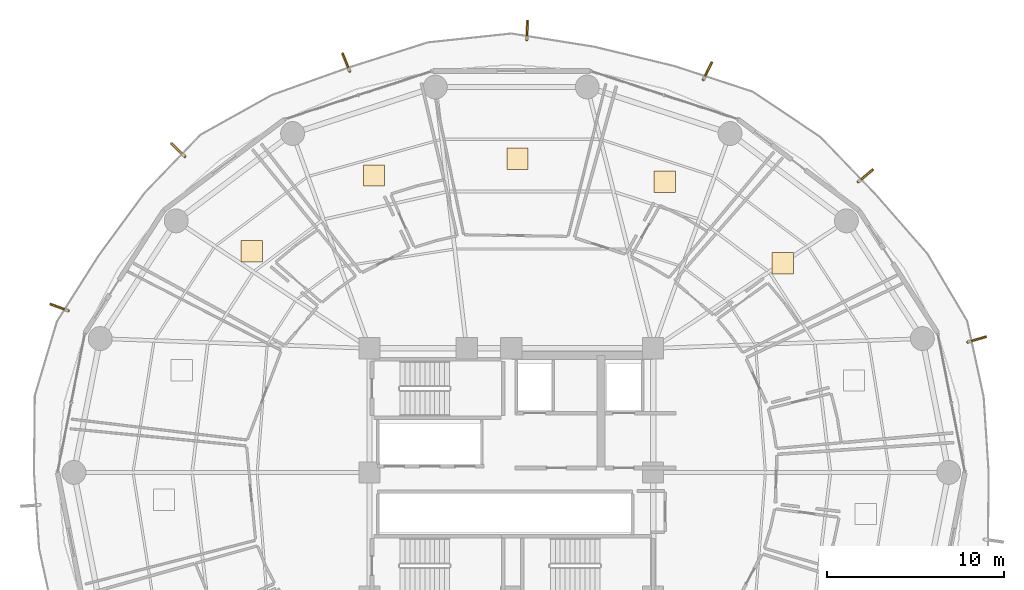
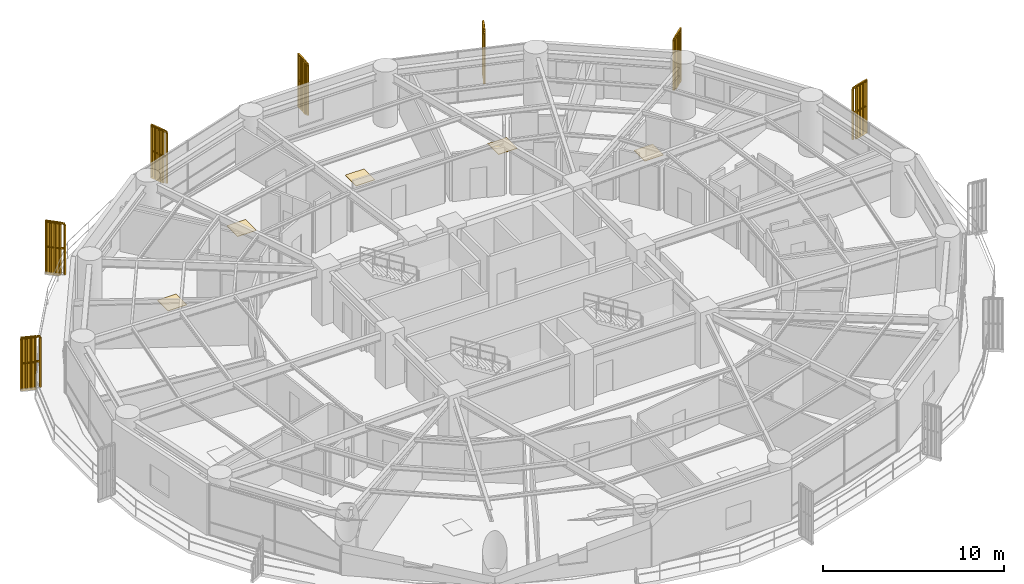
# One storey, part 36 of 36: 7 railings, 7 shading devices, 5 coverings.
"""IFC4 building model written with IfcOpenShell, lengths in metres."""

from ifc_helpers import new_model, si_unit, direction, frame, origin, origin_2d, place, context, subcontext, project, spatial, polyline, rectangle, outline, extrude, source, transform, mapped, material, layer, layer_set, type_object, element, save


model = new_model("IFC4")

# Units and contexts
model_context = context("Model", 3, precision=1e-05, world=origin(), true_north=direction((0.0, 1.0)))
body_context = subcontext(model_context, "Body", "Model", "MODEL_VIEW")
ifc_project = project(units=[si_unit("LENGTHUNIT", "METRE"), si_unit("AREAUNIT", "SQUARE_METRE"), si_unit("VOLUMEUNIT", "CUBIC_METRE"), si_unit("PLANEANGLEUNIT", "RADIAN"), si_unit("MASSUNIT", "GRAM", prefix="KILO")], contexts=[model_context])

# Site, building, storey
site_placement = place(None, origin())
site = spatial("IfcSite", under=ifc_project, at=site_placement, CompositionType="ELEMENT")
building_placement = place(site_placement, origin())
building = spatial("IfcBuilding", under=site, at=building_placement, Name="Kelanora Arch Commons", CompositionType="ELEMENT")
storey_placement = place(building_placement, frame((0.0, 0.0, 102.60009765625)))
storey = spatial("IfcBuildingStorey", under=building, at=storey_placement, Name="L26", CompositionType="ELEMENT", Elevation=102.60009765625)

# Railings
ifc_material_1 = material(Name="Anodised bronze vertical shading fin rib assembly")
railing_type = type_object("IfcRailingType", Name="RAIL-FIN-BRZ", PredefinedType="BALUSTRADE", material=ifc_material_1)
railing_1_placement = place(storey_placement, frame((93.5703125, 74.388916015625, -0.02001953125)))
element("IfcRailing", 1, at=railing_1_placement, inside=storey, type_object=railing_type, Name="Sweeping Bronze Vertical Fin Blade L26-00", PredefinedType="BALUSTRADE", context=body_context, shape_type="SweptSolid", body=[
    extrude(outline(polyline([(0.06982421875, 0.0), (0.034912109375, 0.060546875), (-0.034912109375, 0.060546875), (-0.06982421875, 0.0), (-0.034912109375, -0.060546875), (0.034912109375, -0.060546875), (0.06982421875, 0.0)])), frame((0.0, 0.0, 3.419921875), z_axis=(0.766717863139, 0.641984204123, 0.0), x_axis=(-0.641984204123, 0.766717863139, 0.0)), (0.0, 0.0, 1.0), 1.052978515625),
    extrude(outline(polyline([(0.06982421875, 0.0), (0.034912109375, 0.060546875), (-0.034912109375, 0.060546875), (-0.06982421875, 0.0), (-0.034912109375, -0.060546875), (0.034912109375, -0.060546875), (0.06982421875, 0.0)])), frame((0.0, 0.0, 1.7451171875), z_axis=(0.766717863139, 0.641984204123, 0.0), x_axis=(-0.641984204123, 0.766717863139, 0.0)), (0.0, 0.0, 1.0), 1.052978515625),
    extrude(outline(polyline([(0.080078125, 0.0), (0.0400390625, 0.0693359375), (-0.0400390625, 0.0693359375), (-0.080078125, 0.0), (-0.0400390625, -0.0693359375), (0.0400390625, -0.0693359375), (0.080078125, 0.0)])), origin(), (0.0, 0.0, 1.0), 3.35009765625),
    extrude(outline(polyline([(0.080078125, 0.0), (0.0400390625, 0.0693359375), (-0.0400390625, 0.0693359375), (-0.080078125, 0.0), (-0.0400390625, -0.0693359375), (0.0400390625, -0.0693359375), (0.080078125, 0.0)])), frame((0.201904296875, 0.1689453125, 0.0)), (0.0, 0.0, 1.0), 3.35009765625),
    extrude(outline(polyline([(0.080078125, 0.0), (0.0400390625, 0.0693359375), (-0.0400390625, 0.0693359375), (-0.080078125, 0.0), (-0.0400390625, -0.0693359375), (0.0400390625, -0.0693359375), (0.080078125, 0.0)])), frame((0.40380859375, 0.337890625, 0.0)), (0.0, 0.0, 1.0), 3.35009765625),
    extrude(outline(polyline([(0.080078125, 0.0), (0.0400390625, 0.0693359375), (-0.0400390625, 0.0693359375), (-0.080078125, 0.0), (-0.0400390625, -0.0693359375), (0.0400390625, -0.0693359375), (0.080078125, 0.0)])), frame((0.60546875, 0.507080078125, 0.0)), (0.0, 0.0, 1.0), 3.35009765625),
    extrude(outline(polyline([(0.080078125, 0.0), (0.0400390625, 0.0693359375), (-0.0400390625, 0.0693359375), (-0.080078125, 0.0), (-0.0400390625, -0.0693359375), (0.0400390625, -0.0693359375), (0.080078125, 0.0)])), frame((0.807373046875, 0.676025390625, 0.0)), (0.0, 0.0, 1.0), 3.35009765625),
])
railing_2_placement = place(storey_placement, frame((84.8369140625, 80.163818359375, -0.02001953125)))
element("IfcRailing", 2, at=railing_2_placement, inside=storey, type_object=railing_type, Name="Sweeping Bronze Vertical Fin Blade L26-01", PredefinedType="BALUSTRADE", context=body_context, shape_type="SweptSolid", body=[
    extrude(outline(polyline([(0.06982421875, 0.0), (0.034912109375, 0.060546875), (-0.034912109375, 0.060546875), (-0.06982421875, 0.0), (-0.034912109375, -0.060546875), (0.034912109375, -0.060546875), (0.06982421875, 0.0)])), frame((0.0, 0.0, 3.419921875), z_axis=(0.439126962943, 0.89842501658, 0.0), x_axis=(-0.89842501658, 0.439126962943, 0.0)), (0.0, 0.0, 1.0), 1.052978515625),
    extrude(outline(polyline([(0.06982421875, 0.0), (0.034912109375, 0.060546875), (-0.034912109375, 0.060546875), (-0.06982421875, 0.0), (-0.034912109375, -0.060546875), (0.034912109375, -0.060546875), (0.06982421875, 0.0)])), frame((0.0, 0.0, 1.7451171875), z_axis=(0.439126962943, 0.89842501658, 0.0), x_axis=(-0.89842501658, 0.439126962943, 0.0)), (0.0, 0.0, 1.0), 1.052978515625),
    extrude(outline(polyline([(0.080078125, 0.0), (0.0400390625, 0.0693359375), (-0.0400390625, 0.0693359375), (-0.080078125, 0.0), (-0.0400390625, -0.0693359375), (0.0400390625, -0.0693359375), (0.080078125, 0.0)])), origin(), (0.0, 0.0, 1.0), 3.35009765625),
    extrude(outline(polyline([(0.080078125, 0.0), (0.0400390625, 0.0693359375), (-0.0400390625, 0.0693359375), (-0.080078125, 0.0), (-0.0400390625, -0.0693359375), (0.0400390625, -0.0693359375), (0.080078125, 0.0)])), frame((0.11572265625, 0.236572265625, 0.0)), (0.0, 0.0, 1.0), 3.35009765625),
    extrude(outline(polyline([(0.080078125, 0.0), (0.0400390625, 0.0693359375), (-0.0400390625, 0.0693359375), (-0.080078125, 0.0), (-0.0400390625, -0.0693359375), (0.0400390625, -0.0693359375), (0.080078125, 0.0)])), frame((0.231201171875, 0.47314453125, 0.0)), (0.0, 0.0, 1.0), 3.35009765625),
    extrude(outline(polyline([(0.080078125, 0.0), (0.0400390625, 0.0693359375), (-0.0400390625, 0.0693359375), (-0.080078125, 0.0), (-0.0400390625, -0.0693359375), (0.0400390625, -0.0693359375), (0.080078125, 0.0)])), frame((0.3466796875, 0.70947265625, 0.0)), (0.0, 0.0, 1.0), 3.35009765625),
    extrude(outline(polyline([(0.080078125, 0.0), (0.0400390625, 0.0693359375), (-0.0400390625, 0.0693359375), (-0.080078125, 0.0), (-0.0400390625, -0.0693359375), (0.0400390625, -0.0693359375), (0.080078125, 0.0)])), frame((0.46240234375, 0.946044921875, 0.0)), (0.0, 0.0, 1.0), 3.35009765625),
])
railing_3_placement = place(storey_placement, frame((74.876220703125, 82.404052734375, -0.02001953125)))
element("IfcRailing", 3, at=railing_3_placement, inside=storey, type_object=railing_type, Name="Sweeping Bronze Vertical Fin Blade L26-02", PredefinedType="BALUSTRADE", context=body_context, shape_type="SweptSolid", body=[
    extrude(outline(polyline([(0.06982421875, 0.0), (0.034912109375, 0.060546875), (-0.034912109375, 0.060546875), (-0.06982421875, 0.0), (-0.034912109375, -0.060546875), (0.034912109375, -0.060546875), (0.06982421875, 0.0)])), frame((0.0, 0.0, 3.419921875), z_axis=(0.035708071595, 0.999362263458, 0.0), x_axis=(-0.999362263458, 0.035708071595, 0.0)), (0.0, 0.0, 1.0), 1.052978515625),
    extrude(outline(polyline([(0.06982421875, 0.0), (0.034912109375, 0.060546875), (-0.034912109375, 0.060546875), (-0.06982421875, 0.0), (-0.034912109375, -0.060546875), (0.034912109375, -0.060546875), (0.06982421875, 0.0)])), frame((0.0, 0.0, 1.7451171875), z_axis=(0.035708071595, 0.999362263458, 0.0), x_axis=(-0.999362263458, 0.035708071595, 0.0)), (0.0, 0.0, 1.0), 1.052978515625),
    extrude(outline(polyline([(0.080078125, 0.0), (0.0400390625, 0.0693359375), (-0.0400390625, 0.0693359375), (-0.080078125, 0.0), (-0.0400390625, -0.0693359375), (0.0400390625, -0.0693359375), (0.080078125, 0.0)])), origin(), (0.0, 0.0, 1.0), 3.35009765625),
    extrude(outline(polyline([(0.080078125, 0.0), (0.0400390625, 0.0693359375), (-0.0400390625, 0.0693359375), (-0.080078125, 0.0), (-0.0400390625, -0.0693359375), (0.0400390625, -0.0693359375), (0.080078125, 0.0)])), frame((0.00927734375, 0.26318359375, 0.0)), (0.0, 0.0, 1.0), 3.35009765625),
    extrude(outline(polyline([(0.080078125, 0.0), (0.0400390625, 0.0693359375), (-0.0400390625, 0.0693359375), (-0.080078125, 0.0), (-0.0400390625, -0.0693359375), (0.0400390625, -0.0693359375), (0.080078125, 0.0)])), frame((0.018798828125, 0.526123046875, 0.0)), (0.0, 0.0, 1.0), 3.35009765625),
    extrude(outline(polyline([(0.080078125, 0.0), (0.0400390625, 0.0693359375), (-0.0400390625, 0.0693359375), (-0.080078125, 0.0), (-0.0400390625, -0.0693359375), (0.0400390625, -0.0693359375), (0.080078125, 0.0)])), frame((0.0283203125, 0.7890625, 0.0)), (0.0, 0.0, 1.0), 3.35009765625),
    extrude(outline(polyline([(0.080078125, 0.0), (0.0400390625, 0.0693359375), (-0.0400390625, 0.0693359375), (-0.080078125, 0.0), (-0.0400390625, -0.0693359375), (0.0400390625, -0.0693359375), (0.080078125, 0.0)])), frame((0.03759765625, 1.05224609375, 0.0)), (0.0, 0.0, 1.0), 3.35009765625),
])
railing_4_placement = place(storey_placement, frame((64.881591796875, 80.63232421875, -0.02001953125)))
element("IfcRailing", 4, at=railing_4_placement, inside=storey, type_object=railing_type, Name="Sweeping Bronze Vertical Fin Blade L26-03", PredefinedType="BALUSTRADE", context=body_context, shape_type="SweptSolid", body=[
    extrude(outline(polyline([(0.06982421875, 0.0), (0.034912109375, 0.060546875), (-0.034912109375, 0.060546875), (-0.06982421875, 0.0), (-0.034912109375, -0.060546875), (0.034912109375, -0.060546875), (0.06982421875, 0.0)])), frame((0.0, 0.0, 3.419921875), z_axis=(-0.373707805293, 0.927546481996, 0.0), x_axis=(-0.927546481996, -0.373707805293, 0.0)), (0.0, 0.0, 1.0), 1.05322265625),
    extrude(outline(polyline([(0.06982421875, 0.0), (0.034912109375, 0.060546875), (-0.034912109375, 0.060546875), (-0.06982421875, 0.0), (-0.034912109375, -0.060546875), (0.034912109375, -0.060546875), (0.06982421875, 0.0)])), frame((0.0, 0.0, 1.7451171875), z_axis=(-0.373707805293, 0.927546481996, 0.0), x_axis=(-0.927546481996, -0.373707805293, 0.0)), (0.0, 0.0, 1.0), 1.05322265625),
    extrude(outline(polyline([(0.080078125, 0.0), (0.0400390625, 0.0693359375), (-0.0400390625, 0.0693359375), (-0.080078125, 0.0), (-0.0400390625, -0.0693359375), (0.0400390625, -0.0693359375), (0.080078125, 0.0)])), origin(), (0.0, 0.0, 1.0), 3.35009765625),
    extrude(outline(polyline([(0.080078125, 0.0), (0.0400390625, 0.0693359375), (-0.0400390625, 0.0693359375), (-0.080078125, 0.0), (-0.0400390625, -0.0693359375), (0.0400390625, -0.0693359375), (0.080078125, 0.0)])), frame((-0.098388671875, 0.244140625, 0.0)), (0.0, 0.0, 1.0), 3.35009765625),
    extrude(outline(polyline([(0.080078125, 0.0), (0.0400390625, 0.0693359375), (-0.0400390625, 0.0693359375), (-0.080078125, 0.0), (-0.0400390625, -0.0693359375), (0.0400390625, -0.0693359375), (0.080078125, 0.0)])), frame((-0.19677734375, 0.48828125, 0.0)), (0.0, 0.0, 1.0), 3.35009765625),
    extrude(outline(polyline([(0.080078125, 0.0), (0.0400390625, 0.0693359375), (-0.0400390625, 0.0693359375), (-0.080078125, 0.0), (-0.0400390625, -0.0693359375), (0.0400390625, -0.0693359375), (0.080078125, 0.0)])), frame((-0.295166015625, 0.732666015625, 0.0)), (0.0, 0.0, 1.0), 3.35009765625),
    extrude(outline(polyline([(0.080078125, 0.0), (0.0400390625, 0.0693359375), (-0.0400390625, 0.0693359375), (-0.080078125, 0.0), (-0.0400390625, -0.0693359375), (0.0400390625, -0.0693359375), (0.080078125, 0.0)])), frame((-0.3935546875, 0.976806640625, 0.0)), (0.0, 0.0, 1.0), 3.35009765625),
])
railing_5_placement = place(storey_placement, frame((55.584228515625, 75.81884765625, -0.02001953125)))
element("IfcRailing", 5, at=railing_5_placement, inside=storey, type_object=railing_type, Name="Sweeping Bronze Vertical Fin Blade L26-04", PredefinedType="BALUSTRADE", context=body_context, shape_type="SweptSolid", body=[
    extrude(outline(polyline([(0.06982421875, 0.0), (0.034912109375, 0.060546875), (-0.034912109375, 0.060546875), (-0.06982421875, 0.0), (-0.034912109375, -0.060546875), (0.034912109375, -0.060546875), (0.06982421875, 0.0)])), frame((0.0, 0.0, 3.419921875), z_axis=(-0.71871799176, 0.695301695899, 0.0), x_axis=(-0.695301695899, -0.71871799176, 0.0)), (0.0, 0.0, 1.0), 1.052978515625),
    extrude(outline(polyline([(0.06982421875, 0.0), (0.034912109375, 0.060546875), (-0.034912109375, 0.060546875), (-0.06982421875, 0.0), (-0.034912109375, -0.060546875), (0.034912109375, -0.060546875), (0.06982421875, 0.0)])), frame((0.0, 0.0, 1.7451171875), z_axis=(-0.71871799176, 0.695301695899, 0.0), x_axis=(-0.695301695899, -0.71871799176, 0.0)), (0.0, 0.0, 1.0), 1.052978515625),
    extrude(outline(polyline([(0.080078125, 0.0), (0.0400390625, 0.0693359375), (-0.0400390625, 0.0693359375), (-0.080078125, 0.0), (-0.0400390625, -0.0693359375), (0.0400390625, -0.0693359375), (0.080078125, 0.0)])), origin(), (0.0, 0.0, 1.0), 3.35009765625),
    extrude(outline(polyline([(0.080078125, 0.0), (0.0400390625, 0.0693359375), (-0.0400390625, 0.0693359375), (-0.080078125, 0.0), (-0.0400390625, -0.0693359375), (0.0400390625, -0.0693359375), (0.080078125, 0.0)])), frame((-0.189208984375, 0.18310546875, 0.0)), (0.0, 0.0, 1.0), 3.35009765625),
    extrude(outline(polyline([(0.080078125, 0.0), (0.0400390625, 0.0693359375), (-0.0400390625, 0.0693359375), (-0.080078125, 0.0), (-0.0400390625, -0.0693359375), (0.0400390625, -0.0693359375), (0.080078125, 0.0)])), frame((-0.37841796875, 0.3662109375, 0.0)), (0.0, 0.0, 1.0), 3.35009765625),
    extrude(outline(polyline([(0.080078125, 0.0), (0.0400390625, 0.0693359375), (-0.0400390625, 0.0693359375), (-0.080078125, 0.0), (-0.0400390625, -0.0693359375), (0.0400390625, -0.0693359375), (0.080078125, 0.0)])), frame((-0.567626953125, 0.549072265625, 0.0)), (0.0, 0.0, 1.0), 3.35009765625),
    extrude(outline(polyline([(0.080078125, 0.0), (0.0400390625, 0.0693359375), (-0.0400390625, 0.0693359375), (-0.080078125, 0.0), (-0.0400390625, -0.0693359375), (0.0400390625, -0.0693359375), (0.080078125, 0.0)])), frame((-0.7568359375, 0.732177734375, 0.0)), (0.0, 0.0, 1.0), 3.35009765625),
])
railing_6_placement = place(storey_placement, frame((49.004150390625, 67.12548828125, -0.02001953125)))
element("IfcRailing", 6, at=railing_6_placement, inside=storey, type_object=railing_type, Name="Sweeping Bronze Vertical Fin Blade L26-05", PredefinedType="BALUSTRADE", context=body_context, shape_type="SweptSolid", body=[
    extrude(outline(polyline([(0.06982421875, 0.0), (0.034912109375, 0.060546875), (-0.034912109375, 0.060546875), (-0.06982421875, 0.0), (-0.034912109375, -0.060546875), (0.034912109375, -0.060546875), (0.06982421875, 0.0)])), frame((0.0, 0.0, 3.419921875), z_axis=(-0.939379841186, 0.342878278656, 0.0), x_axis=(-0.342878278656, -0.939379841186, 0.0)), (0.0, 0.0, 1.0), 1.052978515625),
    extrude(outline(polyline([(0.06982421875, 0.0), (0.034912109375, 0.060546875), (-0.034912109375, 0.060546875), (-0.06982421875, 0.0), (-0.034912109375, -0.060546875), (0.034912109375, -0.060546875), (0.06982421875, 0.0)])), frame((0.0, 0.0, 1.7451171875), z_axis=(-0.939379841186, 0.342878278656, 0.0), x_axis=(-0.342878278656, -0.939379841186, 0.0)), (0.0, 0.0, 1.0), 1.052978515625),
    extrude(outline(polyline([(0.080078125, 0.0), (0.0400390625, 0.0693359375), (-0.0400390625, 0.0693359375), (-0.080078125, 0.0), (-0.0400390625, -0.0693359375), (0.0400390625, -0.0693359375), (0.080078125, 0.0)])), origin(), (0.0, 0.0, 1.0), 3.35009765625),
    extrude(outline(polyline([(0.080078125, 0.0), (0.0400390625, 0.0693359375), (-0.0400390625, 0.0693359375), (-0.080078125, 0.0), (-0.0400390625, -0.0693359375), (0.0400390625, -0.0693359375), (0.080078125, 0.0)])), frame((-0.247314453125, 0.09033203125, 0.0)), (0.0, 0.0, 1.0), 3.35009765625),
    extrude(outline(polyline([(0.080078125, 0.0), (0.0400390625, 0.0693359375), (-0.0400390625, 0.0693359375), (-0.080078125, 0.0), (-0.0400390625, -0.0693359375), (0.0400390625, -0.0693359375), (0.080078125, 0.0)])), frame((-0.49462890625, 0.1806640625, 0.0)), (0.0, 0.0, 1.0), 3.35009765625),
    extrude(outline(polyline([(0.080078125, 0.0), (0.0400390625, 0.0693359375), (-0.0400390625, 0.0693359375), (-0.080078125, 0.0), (-0.0400390625, -0.0693359375), (0.0400390625, -0.0693359375), (0.080078125, 0.0)])), frame((-0.741943359375, 0.270751953125, 0.0)), (0.0, 0.0, 1.0), 3.35009765625),
    extrude(outline(polyline([(0.080078125, 0.0), (0.0400390625, 0.0693359375), (-0.0400390625, 0.0693359375), (-0.080078125, 0.0), (-0.0400390625, -0.0693359375), (0.0400390625, -0.0693359375), (0.080078125, 0.0)])), frame((-0.9892578125, 0.361083984375, 0.0)), (0.0, 0.0, 1.0), 3.35009765625),
])
railing_7_placement = place(storey_placement, frame((99.75146484375, 65.35693359375, -0.02001953125)))
element("IfcRailing", 7, at=railing_7_placement, inside=storey, type_object=railing_type, Name="Sweeping Bronze Vertical Fin Blade L26-14", PredefinedType="BALUSTRADE", context=body_context, shape_type="SweptSolid", body=[
    extrude(outline(polyline([(0.06982421875, 0.0), (0.034912109375, 0.060546875), (-0.034912109375, 0.060546875), (-0.06982421875, 0.0), (-0.034912109375, -0.060546875), (0.034912109375, -0.060546875), (0.06982421875, 0.0)])), frame((0.0, 0.0, 3.419921875), z_axis=(0.961532694562, 0.274690511827, 0.0), x_axis=(-0.274690511827, 0.961532694562, 0.0)), (0.0, 0.0, 1.0), 1.05322265625),
    extrude(outline(polyline([(0.06982421875, 0.0), (0.034912109375, 0.060546875), (-0.034912109375, 0.060546875), (-0.06982421875, 0.0), (-0.034912109375, -0.060546875), (0.034912109375, -0.060546875), (0.06982421875, 0.0)])), frame((0.0, 0.0, 1.7451171875), z_axis=(0.961532694562, 0.274690511827, 0.0), x_axis=(-0.274690511827, 0.961532694562, 0.0)), (0.0, 0.0, 1.0), 1.05322265625),
    extrude(outline(polyline([(0.080078125, 0.0), (0.0400390625, 0.0693359375), (-0.0400390625, 0.0693359375), (-0.080078125, 0.0), (-0.0400390625, -0.0693359375), (0.0400390625, -0.0693359375), (0.080078125, 0.0)])), origin(), (0.0, 0.0, 1.0), 3.35009765625),
    extrude(outline(polyline([(0.080078125, 0.0), (0.0400390625, 0.0693359375), (-0.0400390625, 0.0693359375), (-0.080078125, 0.0), (-0.0400390625, -0.0693359375), (0.0400390625, -0.0693359375), (0.080078125, 0.0)])), frame((0.253173828125, 0.072265625, 0.0)), (0.0, 0.0, 1.0), 3.35009765625),
    extrude(outline(polyline([(0.080078125, 0.0), (0.0400390625, 0.0693359375), (-0.0400390625, 0.0693359375), (-0.080078125, 0.0), (-0.0400390625, -0.0693359375), (0.0400390625, -0.0693359375), (0.080078125, 0.0)])), frame((0.50634765625, 0.14453125, 0.0)), (0.0, 0.0, 1.0), 3.35009765625),
    extrude(outline(polyline([(0.080078125, 0.0), (0.0400390625, 0.0693359375), (-0.0400390625, 0.0693359375), (-0.080078125, 0.0), (-0.0400390625, -0.0693359375), (0.0400390625, -0.0693359375), (0.080078125, 0.0)])), frame((0.759521484375, 0.217041015625, 0.0)), (0.0, 0.0, 1.0), 3.35009765625),
    extrude(outline(polyline([(0.080078125, 0.0), (0.0400390625, 0.0693359375), (-0.0400390625, 0.0693359375), (-0.080078125, 0.0), (-0.0400390625, -0.0693359375), (0.0400390625, -0.0693359375), (0.080078125, 0.0)])), frame((1.0126953125, 0.289306640625, 0.0)), (0.0, 0.0, 1.0), 3.35009765625),
])

# Shading devices
ifc_material_2 = material(Name="Terracotta ceramic-clad extruded aluminium fin", Category="masonry")
shading_device_type = type_object("IfcShadingDeviceType", Name="SHD-FIN-FLARE", PredefinedType="USERDEFINED", material=ifc_material_2)
shared_shape_1 = source(origin(), body_context, "Body", "SweptSolid", [
    extrude(rectangle(XDim=0.8798828125, YDim=0.090087890625, at=origin_2d()), origin(), (0.0, 0.0, 1.0), 3.610107421875),
])
for number, where, z_axis, x_axis, name in (
    (8, (94.081298828125, 74.816650390625, -0.14013671875), (0.0, 0.0, 1.0), (0.766717148576, 0.641985057521, 0.0), "Sweeping Terracotta Fin L26-00"),
    (9, (85.129638671875, 80.7626953125, -0.14013671875), (0.0, 0.0, 1.0), (0.439312121178, 0.898334492373, 0.0), "Sweeping Terracotta Fin L26-01"),
    (10, (74.89990234375, 83.070068359375, -0.14013671875), (0.0, 0.0, 1.0), (0.035946037002, 0.999353732381, 0.0), "Sweeping Terracotta Fin L26-02"),
    (11, (64.632568359375, 81.25048828125, -0.14013671875), (0.0, 0.0, 1.0), (-0.37363544353, 0.927575633217, 0.0), "Sweeping Terracotta Fin L26-03"),
    (12, (55.10498046875, 76.2822265625, -0.14013671875), (0.0, 0.0, 1.0), (-0.718611961505, 0.69541128031, 0.0), "Sweeping Terracotta Fin L26-04"),
    (13, (48.378173828125, 67.35400390625, -0.14013671875), (0.0, 0.0, 1.0), (-0.939333942951, 0.343003999424, 0.0), "Sweeping Terracotta Fin L26-05"),
    (14, (100.392578125, 65.5400390625, -0.14013671875), (0.0, 0.0, 1.0), (0.961549815579, 0.274630573972, 0.0), "Sweeping Terracotta Fin L26-14"),
):
    element("IfcShadingDevice", number, at=place(storey_placement, frame(where, z_axis=z_axis, x_axis=x_axis)), inside=storey, type_object=shading_device_type, Name=name, ObjectType="FIN", PredefinedType="USERDEFINED", context=body_context, shape_type="MappedRepresentation", body=[
        mapped(shared_shape_1, transform((0.0, 0.0, 0.0), scale=1.0)),
    ])

# Coverings
ifc_material_3 = material(Name="Polished local granite terrazzo flooring", Category="masonry")
ifc_layer = layer(ifc_material_3, 0.030029296875)
ifc_layer_set = layer_set([ifc_layer], Name="Polished local granite terrazzo flooring")
covering_type = type_object("IfcCoveringType", Name="COV-FLR-TER", PredefinedType="FLOORING", material=ifc_layer_set)
shared_shape_2 = source(origin(), body_context, "Body", "SweptSolid", [
    extrude(rectangle(XDim=1.199951171875, YDim=1.199951171875, at=origin_2d()), origin(), (0.0, 0.0, 1.0), 0.030029296875),
])
for number, where, z_axis, x_axis, name in (
    (15, (89.316162109375, 69.80859375, 0.0), (0.0, 0.0, 1.0), (1.0, 0.0, 0.0), "Co-Living Studio L26-02 Terrazzo Finish"),
    (16, (82.656005859375, 74.3935546875, 0.0), (0.0, 0.0, 1.0), (1.0, 0.0, 0.0), "Co-Living Studio L26-03 Terrazzo Finish"),
    (17, (74.343505859375, 75.7021484375, 0.0), (0.0, 0.0, 1.0), (1.0, 0.0, 0.0), "Communal Dining and Social Hall L26-04 Terrazzo Finish"),
    (18, (66.255126953125, 74.75732421875, 0.0), (0.0, 0.0, 1.0), (1.0, 0.0, 0.0), "Co-Living Studio L26-05 Terrazzo Finish"),
    (19, (59.35107421875, 70.47265625, 0.0), (0.0, 0.0, 1.0), (1.0, 0.0, 0.0), "Co-Living Studio L26-06 Terrazzo Finish"),
):
    element("IfcCovering", number, at=place(storey_placement, frame(where, z_axis=z_axis, x_axis=x_axis)), inside=storey, type_object=covering_type, Name=name, PredefinedType="FLOORING", context=body_context, shape_type="MappedRepresentation", body=[
        mapped(shared_shape_2, transform((0.0, 0.0, 0.0), scale=1.0)),
    ])

save(model, "model.ifc")
